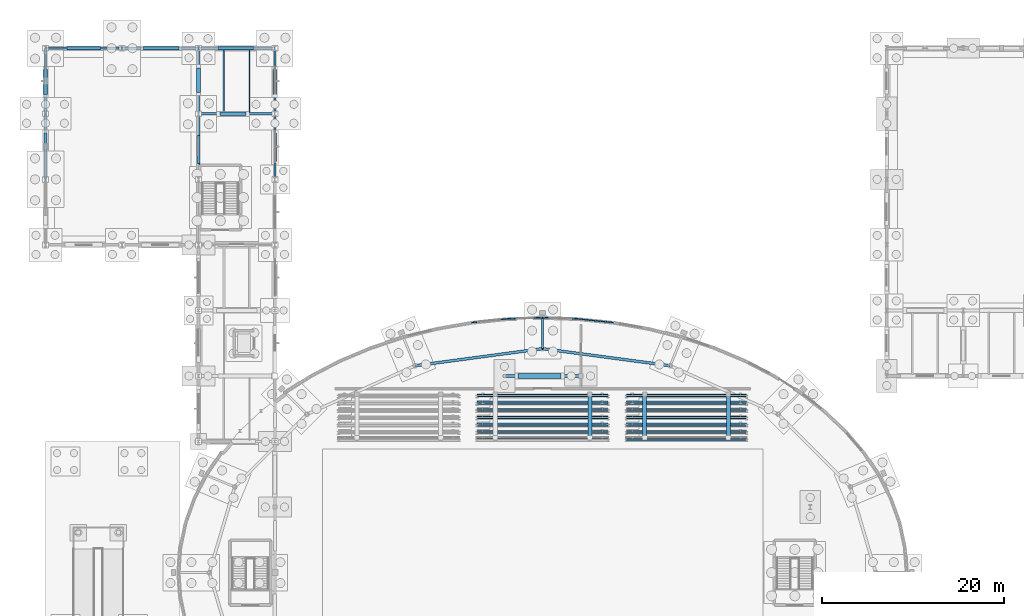
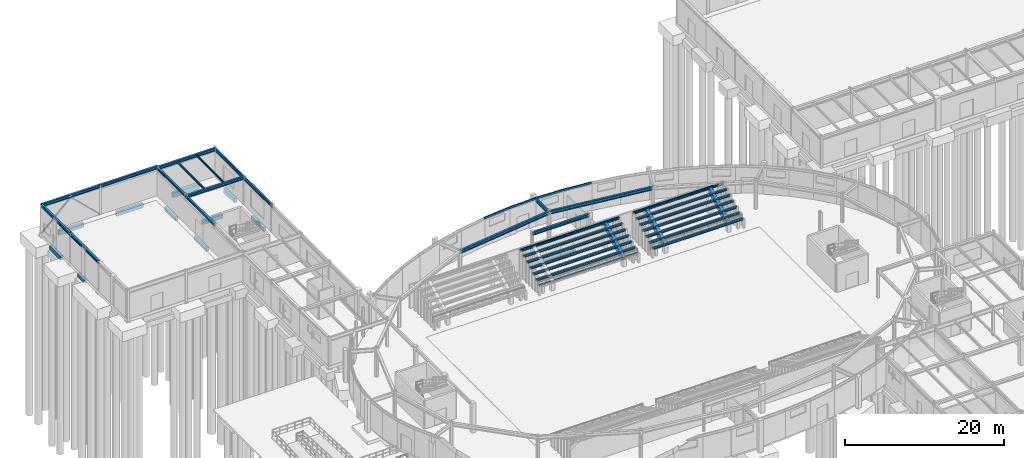
# One storey, part 40 of 93: 61 beams, 2 members.
"""IFC4 building model written with IfcOpenShell, lengths in metres."""

from ifc_helpers import new_model, si_unit, derived_unit, direction, frame, origin, origin_2d, place, context, subcontext, project, spatial, rectangle, hollow_rectangle, i_section, extrude, material, material_profile, profile_set, type_object, element, save


model = new_model("IFC4")

# Units and contexts
model_context = context("Model", 3, precision=1e-05, world=origin(), true_north=direction((0.0, 1.0)))
body_context = subcontext(model_context, "Body", "Model", "MODEL_VIEW")
ifc_project = project(units=[si_unit("LENGTHUNIT", "METRE"), si_unit("AREAUNIT", "SQUARE_METRE"), si_unit("VOLUMEUNIT", "CUBIC_METRE"), si_unit("PLANEANGLEUNIT", "RADIAN"), si_unit("MASSUNIT", "GRAM", prefix="KILO"), derived_unit("THERMALTRANSMITTANCEUNIT", [(si_unit("MASSUNIT", "GRAM", prefix="KILO"), 1), (si_unit("TIMEUNIT", "SECOND"), -3), (si_unit("THERMODYNAMICTEMPERATUREUNIT", "KELVIN"), -1)])], contexts=[model_context])

# Site, building, storey
site_placement = place(None, origin())
site = spatial("IfcSite", under=ifc_project, at=site_placement, CompositionType="ELEMENT")
building_placement = place(site_placement, origin())
building = spatial("IfcBuilding", under=site, at=building_placement, Name="Kharveza Railside Sports Centre", CompositionType="ELEMENT")
storey_placement = place(building_placement, origin())
storey = spatial("IfcBuildingStorey", under=building, at=storey_placement, Name="L00", CompositionType="ELEMENT", Elevation=0.0)

# Beams
ifc_material_1 = material(Name="Steel S355J2", Category="steel")
ifc_material_profile_1 = material_profile(ifc_material_1, i_section(OverallWidth=0.2099609375, OverallDepth=0.550048828125, WebThickness=0.010986328125, FlangeThickness=0.01708984375, FilletRadius=0.02392578125, at=origin_2d()), Name="IPE 550")
ifc_profile_set_1 = profile_set([ifc_material_profile_1], Name="Steel S355J2")
beam_type_1 = type_object("IfcBeamType", Name="BM-G02", PredefinedType="T_BEAM", material=ifc_profile_set_1)
beam_1_placement = place(storey_placement, frame((54.60009765625, 75.0, 4.0400390625), z_axis=(0.0, 1.0, 0.0), x_axis=(-1.0, 0.0, 0.0)))
element("IfcBeam", 1, at=beam_1_placement, inside=storey, type_object=beam_type_1, Name="BM-DRAD-L00-05", PredefinedType="T_BEAM", context=body_context, shape_type="SweptSolid", body=[
    extrude(i_section(OverallWidth=0.2099609375, OverallDepth=0.550048828125, WebThickness=0.010986328125, FlangeThickness=0.01708984375, FilletRadius=0.02392578125, at=origin_2d()), origin(), (0.0, 0.0, 1.0), 3.39990234375),
])
ifc_material_profile_2 = material_profile(ifc_material_1, i_section(OverallWidth=0.199951171875, OverallDepth=0.5, WebThickness=0.01025390625, FlangeThickness=0.01611328125, FilletRadius=0.02099609375, at=origin_2d()), Name="IPE 500")
ifc_profile_set_2 = profile_set([ifc_material_profile_2], Name="Steel S355J2")
beam_type_2 = type_object("IfcBeamType", Name="BM-G03", PredefinedType="T_BEAM", material=ifc_profile_set_2)
for number, where, z_axis, x_axis, name in (
    (2, (25.199951171875, 93.60009765625, 4.070068359375), (0.0, 1.0, 0.0), (-1.0, 0.0, 0.0), "BM-NS-L00-B03-X252-Y936"),
    (3, (25.199951171875, 100.800048828125, 4.070068359375), (0.0, 1.0, 0.0), (-1.0, 0.0, 0.0), "BM-NS-L00-B03-X252-Y1008"),
):
    element("IfcBeam", number, at=place(storey_placement, frame(where, z_axis=z_axis, x_axis=x_axis)), inside=storey, type_object=beam_type_2, Name=name, PredefinedType="T_BEAM", context=body_context, shape_type="SweptSolid", body=[
        extrude(i_section(OverallWidth=0.199951171875, OverallDepth=0.5, WebThickness=0.01025390625, FlangeThickness=0.01611328125, FilletRadius=0.02099609375, at=origin_2d()), origin(), (0.0, 0.0, 1.0), 7.199951171875),
    ])
ifc_material_profile_3 = material_profile(ifc_material_1, i_section(OverallWidth=0.300048828125, OverallDepth=0.449951171875, WebThickness=0.013916015625, FlangeThickness=0.02587890625, FilletRadius=0.027099609375, at=origin_2d()), Name="HEB 450")
ifc_profile_set_3 = profile_set([ifc_material_profile_3], Name="Steel S355J2")
beam_type_3 = type_object("IfcBeamType", Name="BM-G06", PredefinedType="T_BEAM", material=ifc_profile_set_3)
beam_2_placement = place(storey_placement, frame((16.800048828125, 100.800048828125, 4.094970703125), z_axis=(1.0, 0.0, 0.0), x_axis=(0.0, 1.0, 0.0)))
element("IfcBeam", 4, at=beam_2_placement, inside=storey, type_object=beam_type_3, Name="BM-EW-L00-B06-X168-Y1008", PredefinedType="T_BEAM", context=body_context, shape_type="SweptSolid", body=[
    extrude(i_section(OverallWidth=0.300048828125, OverallDepth=0.449951171875, WebThickness=0.013916015625, FlangeThickness=0.02587890625, FilletRadius=0.027099609375, at=origin_2d()), origin(), (0.0, 0.0, 1.0), 8.39990234375),
])
beam_3_placement = place(storey_placement, frame((50.39990234375, 72.0, 4.094970703125), z_axis=(1.0, 0.0, 0.0), x_axis=(0.0, 1.0, 0.0)))
element("IfcBeam", 5, at=beam_3_placement, inside=storey, type_object=beam_type_3, Name="BM-EW-L00-B06-X504-Y720", PredefinedType="T_BEAM", context=body_context, shape_type="SweptSolid", body=[
    extrude(i_section(OverallWidth=0.300048828125, OverallDepth=0.449951171875, WebThickness=0.013916015625, FlangeThickness=0.02587890625, FilletRadius=0.027099609375, at=origin_2d()), origin(), (0.0, 0.0, 1.0), 8.400146484375),
])
ifc_material_profile_4 = material_profile(ifc_material_1, i_section(OverallWidth=0.300048828125, OverallDepth=0.489990234375, WebThickness=0.011962890625, FlangeThickness=0.02294921875, FilletRadius=0.027099609375, at=origin_2d()), Name="HEA 500")
ifc_profile_set_4 = profile_set([ifc_material_profile_4], Name="Steel S355J2")
beam_type_4 = type_object("IfcBeamType", Name="BM-G08", PredefinedType="T_BEAM", material=ifc_profile_set_4)
beam_4_placement = place(storey_placement, frame((68.606201171875, 73.12744140625, 4.070068359375), z_axis=(-0.99118075907, 0.132516802142, 0.0), x_axis=(-0.132516802142, -0.99118075907, 0.0)))
element("IfcBeam", 6, at=beam_4_placement, inside=storey, type_object=beam_type_4, Name="BM-DRING-L00-04", PredefinedType="T_BEAM", context=body_context, shape_type="SweptSolid", body=[
    extrude(i_section(OverallWidth=0.300048828125, OverallDepth=0.489990234375, WebThickness=0.011962890625, FlangeThickness=0.02294921875, FilletRadius=0.027099609375, at=origin_2d()), origin(), (0.0, 0.0, 1.0), 14.130615234375),
])
beam_5_placement = place(storey_placement, frame((54.60009765625, 75.0, 4.070068359375), z_axis=(-0.991181062463, -0.132514532841, 0.0), x_axis=(0.132514532841, -0.991181062463, 0.0)))
element("IfcBeam", 7, at=beam_5_placement, inside=storey, type_object=beam_type_4, Name="BM-DRING-L00-05", PredefinedType="T_BEAM", context=body_context, shape_type="SweptSolid", body=[
    extrude(i_section(OverallWidth=0.300048828125, OverallDepth=0.489990234375, WebThickness=0.011962890625, FlangeThickness=0.02294921875, FilletRadius=0.027099609375, at=origin_2d()), origin(), (0.0, 0.0, 1.0), 14.130859375),
])
ifc_material_2 = material(Name="Concrete C35/45", Category="concrete")
ifc_material_profile_5 = material_profile(ifc_material_2, rectangle(XDim=0.5, YDim=0.800048828125, at=origin_2d()), Name="RCB 500x800")
ifc_profile_set_5 = profile_set([ifc_material_profile_5], Name="Concrete C35/45")
beam_type_5 = type_object("IfcBeamType", Name="BM-RC01", PredefinedType="T_BEAM", material=ifc_profile_set_5)
beam_6_placement = place(storey_placement, frame((51.909912109375, 72.0, -0.820068359375), z_axis=(1.0, 0.0, 0.0), x_axis=(0.0, 1.0, 0.0)))
element("IfcBeam", 8, at=beam_6_placement, inside=storey, type_object=beam_type_5, Name="BM-PLINTH-EW-B25-X504-Y720-1", PredefinedType="T_BEAM", context=body_context, shape_type="SweptSolid", body=[
    extrude(rectangle(XDim=0.5, YDim=0.800048828125, at=origin_2d()), origin(), (0.0, 0.0, 1.0), 4.72998046875),
])
ifc_material_profile_6 = material_profile(ifc_material_2, rectangle(XDim=0.39990234375, YDim=0.64990234375, at=origin_2d()), Name="RCB 400x650")
ifc_profile_set_6 = profile_set([ifc_material_profile_6], Name="Concrete C35/45")
beam_type_6 = type_object("IfcBeamType", Name="BM-RC02", PredefinedType="BEAM", material=ifc_profile_set_6)
beam_7_placement = place(storey_placement, frame((0.0, 102.93505859375, -0.7451171875), z_axis=(0.0, 1.0, 0.0), x_axis=(-1.0, 0.0, 0.0)))
element("IfcBeam", 9, at=beam_7_placement, inside=storey, type_object=beam_type_6, Name="BM-PLINTH-NS-B26-X0-Y1008-1", PredefinedType="BEAM", context=body_context, shape_type="SweptSolid", body=[
    extrude(rectangle(XDim=0.39990234375, YDim=0.64990234375, at=origin_2d()), origin(), (0.0, 0.0, 1.0), 2.704833984375),
])
beam_8_placement = place(storey_placement, frame((16.800048828125, 103.159912109375, -0.7451171875), z_axis=(0.0, 1.0, 0.0), x_axis=(-1.0, 0.0, 0.0)))
element("IfcBeam", 10, at=beam_8_placement, inside=storey, type_object=beam_type_6, Name="BM-PLINTH-NS-B26-X168-Y1008-1", PredefinedType="BEAM", context=body_context, shape_type="SweptSolid", body=[
    extrude(rectangle(XDim=0.39990234375, YDim=0.64990234375, at=origin_2d()), origin(), (0.0, 0.0, 1.0), 2.68017578125),
])
beam_9_placement = place(storey_placement, frame((25.199951171875, 102.93505859375, -0.7451171875), z_axis=(0.0, 1.0, 0.0), x_axis=(-1.0, 0.0, 0.0)))
element("IfcBeam", 11, at=beam_9_placement, inside=storey, type_object=beam_type_6, Name="BM-PLINTH-NS-B26-X252-Y1008-1", PredefinedType="BEAM", context=body_context, shape_type="SweptSolid", body=[
    extrude(rectangle(XDim=0.39990234375, YDim=0.64990234375, at=origin_2d()), origin(), (0.0, 0.0, 1.0), 2.704833984375),
])
ifc_material_profile_7 = material_profile(ifc_material_2, rectangle(XDim=0.35009765625, YDim=0.699951171875, at=origin_2d()), Name="RCB 350x700")
ifc_profile_set_7 = profile_set([ifc_material_profile_7], Name="Concrete C35/45")
beam_type_7 = type_object("IfcBeamType", Name="BM-RC03", PredefinedType="SPANDREL", material=ifc_profile_set_7)
beam_10_placement = place(storey_placement, frame((2.360107421875, 108.0, -0.77001953125), z_axis=(1.0, 0.0, 0.0), x_axis=(0.0, 1.0, 0.0)))
element("IfcBeam", 12, at=beam_10_placement, inside=storey, type_object=beam_type_7, Name="BM-PLINTH-EW-B27-X0-Y1080-1", PredefinedType="SPANDREL", context=body_context, shape_type="SweptSolid", body=[
    extrude(rectangle(XDim=0.35009765625, YDim=0.699951171875, at=origin_2d()), origin(), (0.0, 0.0, 1.0), 3.65478515625),
])
beam_11_placement = place(storey_placement, frame((10.784912109375, 108.0, -0.77001953125), z_axis=(1.0, 0.0, 0.0), x_axis=(0.0, 1.0, 0.0)))
element("IfcBeam", 13, at=beam_11_placement, inside=storey, type_object=beam_type_7, Name="BM-PLINTH-EW-B27-X84-Y1080-1", PredefinedType="SPANDREL", context=body_context, shape_type="SweptSolid", body=[
    extrude(rectangle(XDim=0.35009765625, YDim=0.699951171875, at=origin_2d()), origin(), (0.0, 0.0, 1.0), 3.85498046875),
])
beam_12_placement = place(storey_placement, frame((18.9599609375, 108.0, -0.77001953125), z_axis=(1.0, 0.0, 0.0), x_axis=(0.0, 1.0, 0.0)))
element("IfcBeam", 14, at=beam_12_placement, inside=storey, type_object=beam_type_7, Name="BM-PLINTH-EW-B27-X168-Y1080-1", PredefinedType="SPANDREL", context=body_context, shape_type="SweptSolid", body=[
    extrude(rectangle(XDim=0.35009765625, YDim=0.699951171875, at=origin_2d()), origin(), (0.0, 0.0, 1.0), 3.880126953125),
])
ifc_material_3 = material(Name="Precast concrete C40/50", Category="concrete")
ifc_material_profile_8 = material_profile(ifc_material_3, rectangle(XDim=0.449951171875, YDim=0.75, at=origin_2d()), Name="RCB 450x750")
ifc_profile_set_8 = profile_set([ifc_material_profile_8], Name="Precast concrete C40/50")
beam_type_8 = type_object("IfcBeamType", Name="BM-RC04", PredefinedType="BEAM", material=ifc_profile_set_8)
for number, where, z_axis, x_axis, name in (
    (15, (59.800048828125, 70.0, 3.6298828125), (0.0, -0.883895060385, -0.467685281175), (1.0, 0.0, 0.0), "BM-RAKER-N-04"),
    (16, (65.800048828125, 70.0, 3.6298828125), (0.0, -0.883895060385, -0.467685281175), (1.0, 0.0, 0.0), "BM-RAKER-N-05"),
    (17, (75.0, 70.0, 3.6298828125), (0.0, -0.883895060385, -0.467685281175), (1.0, 0.0, 0.0), "BM-RAKER-N-06"),
):
    element("IfcBeam", number, at=place(storey_placement, frame(where, z_axis=z_axis, x_axis=x_axis)), inside=storey, type_object=beam_type_8, Name=name, PredefinedType="BEAM", context=body_context, shape_type="SweptSolid", body=[
        extrude(rectangle(XDim=0.449951171875, YDim=0.75, at=origin_2d()), origin(), (0.0, 0.0, 1.0), 5.4306640625),
    ])
ifc_material_profile_9 = material_profile(ifc_material_2, rectangle(XDim=0.35009765625, YDim=0.60009765625, at=origin_2d()), Name="RCB 350x600")
ifc_profile_set_9 = profile_set([ifc_material_profile_9], Name="Concrete C35/45")
beam_type_9 = type_object("IfcBeamType", Name="BM-RC06", PredefinedType="BEAM", material=ifc_profile_set_9)
beam_13_placement = place(storey_placement, frame((0.0, 97.06005859375, -0.719970703125), z_axis=(0.0, 1.0, 0.0), x_axis=(-1.0, 0.0, 0.0)))
element("IfcBeam", 18, at=beam_13_placement, inside=storey, type_object=beam_type_9, Name="BM-PLINTH-NS-B30-X0-Y936-1", PredefinedType="BEAM", context=body_context, shape_type="SweptSolid", body=[
    extrude(rectangle(XDim=0.35009765625, YDim=0.60009765625, at=origin_2d()), origin(), (0.0, 0.0, 1.0), 1.60498046875),
])
beam_14_placement = place(storey_placement, frame((16.800048828125, 95.360107421875, -0.719970703125), z_axis=(0.0, 1.0, 0.0), x_axis=(-1.0, 0.0, 0.0)))
element("IfcBeam", 19, at=beam_14_placement, inside=storey, type_object=beam_type_9, Name="BM-PLINTH-NS-B30-X168-Y936-1", PredefinedType="BEAM", context=body_context, shape_type="SweptSolid", body=[
    extrude(rectangle(XDim=0.35009765625, YDim=0.60009765625, at=origin_2d()), origin(), (0.0, 0.0, 1.0), 3.079833984375),
])
beam_15_placement = place(storey_placement, frame((25.199951171875, 95.56005859375, -0.719970703125), z_axis=(0.0, 1.0, 0.0), x_axis=(-1.0, 0.0, 0.0)))
element("IfcBeam", 20, at=beam_15_placement, inside=storey, type_object=beam_type_9, Name="BM-PLINTH-NS-B30-X252-Y936-1", PredefinedType="BEAM", context=body_context, shape_type="SweptSolid", body=[
    extrude(rectangle(XDim=0.35009765625, YDim=0.60009765625, at=origin_2d()), origin(), (0.0, 0.0, 1.0), 3.10498046875),
])
ifc_material_profile_10 = material_profile(ifc_material_2, rectangle(XDim=0.39990234375, YDim=0.550048828125, at=origin_2d()), Name="RCB 400x550")
ifc_profile_set_10 = profile_set([ifc_material_profile_10], Name="Concrete C35/45")
beam_type_10 = type_object("IfcBeamType", Name="BM-RC07", PredefinedType="LINTEL", material=ifc_profile_set_10)
beam_16_placement = place(storey_placement, frame((19.159912109375, 100.800048828125, -0.695068359375), z_axis=(1.0, 0.0, 0.0), x_axis=(0.0, 1.0, 0.0)))
element("IfcBeam", 21, at=beam_16_placement, inside=storey, type_object=beam_type_10, Name="BM-PLINTH-EW-B31-X168-Y1008-1", PredefinedType="LINTEL", context=body_context, shape_type="SweptSolid", body=[
    extrude(rectangle(XDim=0.39990234375, YDim=0.550048828125, at=origin_2d()), origin(), (0.0, 0.0, 1.0), 2.880126953125),
])
ifc_material_profile_11 = material_profile(ifc_material_1, i_section(OverallWidth=0.159912109375, OverallDepth=0.330078125, WebThickness=0.007568359375, FlangeThickness=0.011474609375, FilletRadius=0.01806640625, at=origin_2d()), Name="IPE 330")
ifc_profile_set_11 = profile_set([ifc_material_profile_11], Name="Steel S355J2")
beam_type_11 = type_object("IfcBeamType", Name="BM-S03", PredefinedType="BEAM", material=ifc_profile_set_11)
beam_17_placement = place(storey_placement, frame((19.60009765625, 100.947021484375, 4.155029296875), z_axis=(0.0, 1.0, 0.0), x_axis=(-1.0, 0.0, 0.0)))
element("IfcBeam", 22, at=beam_17_placement, inside=storey, type_object=beam_type_11, Name="BM-SEC-L00-B11-X196-Y1008", PredefinedType="BEAM", context=body_context, shape_type="SweptSolid", body=[
    extrude(i_section(OverallWidth=0.159912109375, OverallDepth=0.330078125, WebThickness=0.007568359375, FlangeThickness=0.011474609375, FilletRadius=0.01806640625, at=origin_2d()), origin(), (0.0, 0.0, 1.0), 6.906005859375),
])
ifc_material_profile_12 = material_profile(ifc_material_1, i_section(OverallWidth=0.135009765625, OverallDepth=0.27001953125, WebThickness=0.006591796875, FlangeThickness=0.01025390625, FilletRadius=0.014892578125, at=origin_2d()), Name="IPE 270")
ifc_profile_set_12 = profile_set([ifc_material_profile_12], Name="Steel S355J2")
beam_type_12 = type_object("IfcBeamType", Name="BM-S05", PredefinedType="BEAM", material=ifc_profile_set_12)
for number, where, z_axis, x_axis, name in (
    (23, (47.39990234375, 69.739990234375, 3.85498046875), (1.0, 0.0, 0.0), (0.0, 1.0, 0.0), "BM-TSTR-N01-S2-1"),
    (24, (47.39990234375, 69.9599609375, 3.85498046875), (1.0, 0.0, 0.0), (0.0, 1.0, 0.0), "BM-TSTR-N01-S2-2"),
):
    element("IfcBeam", number, at=place(storey_placement, frame(where, z_axis=z_axis, x_axis=x_axis)), inside=storey, type_object=beam_type_12, Name=name, PredefinedType="BEAM", context=body_context, shape_type="SweptSolid", body=[
        extrude(i_section(OverallWidth=0.135009765625, OverallDepth=0.27001953125, WebThickness=0.006591796875, FlangeThickness=0.01025390625, FilletRadius=0.014892578125, at=origin_2d()), origin(), (0.0, 0.0, 1.0), 14.400146484375),
    ])
for number, where, z_axis, x_axis, name in (
    (25, (63.800048828125, 69.739990234375, 3.85498046875), (1.0, 0.0, 0.0), (0.0, 1.0, 0.0), "BM-TSTR-N01-S3-1"),
    (26, (63.800048828125, 69.9599609375, 3.85498046875), (1.0, 0.0, 0.0), (0.0, 1.0, 0.0), "BM-TSTR-N01-S3-2"),
):
    element("IfcBeam", number, at=place(storey_placement, frame(where, z_axis=z_axis, x_axis=x_axis)), inside=storey, type_object=beam_type_12, Name=name, PredefinedType="BEAM", context=body_context, shape_type="SweptSolid", body=[
        extrude(i_section(OverallWidth=0.135009765625, OverallDepth=0.27001953125, WebThickness=0.006591796875, FlangeThickness=0.01025390625, FilletRadius=0.014892578125, at=origin_2d()), origin(), (0.0, 0.0, 1.0), 13.199951171875),
    ])
for number, where, z_axis, x_axis, name in (
    (27, (47.39990234375, 68.93994140625, 3.43505859375), (1.0, 0.0, 0.0), (0.0, 1.0, 0.0), "BM-TSTR-N02-S2-1"),
    (28, (47.39990234375, 69.159912109375, 3.43505859375), (1.0, 0.0, 0.0), (0.0, 1.0, 0.0), "BM-TSTR-N02-S2-2"),
):
    element("IfcBeam", number, at=place(storey_placement, frame(where, z_axis=z_axis, x_axis=x_axis)), inside=storey, type_object=beam_type_12, Name=name, PredefinedType="BEAM", context=body_context, shape_type="SweptSolid", body=[
        extrude(i_section(OverallWidth=0.135009765625, OverallDepth=0.27001953125, WebThickness=0.006591796875, FlangeThickness=0.01025390625, FilletRadius=0.014892578125, at=origin_2d()), origin(), (0.0, 0.0, 1.0), 14.400146484375),
    ])
for number, where, z_axis, x_axis, name in (
    (29, (63.800048828125, 68.93994140625, 3.43505859375), (1.0, 0.0, 0.0), (0.0, 1.0, 0.0), "BM-TSTR-N02-S3-1"),
    (30, (63.800048828125, 69.159912109375, 3.43505859375), (1.0, 0.0, 0.0), (0.0, 1.0, 0.0), "BM-TSTR-N02-S3-2"),
):
    element("IfcBeam", number, at=place(storey_placement, frame(where, z_axis=z_axis, x_axis=x_axis)), inside=storey, type_object=beam_type_12, Name=name, PredefinedType="BEAM", context=body_context, shape_type="SweptSolid", body=[
        extrude(i_section(OverallWidth=0.135009765625, OverallDepth=0.27001953125, WebThickness=0.006591796875, FlangeThickness=0.01025390625, FilletRadius=0.014892578125, at=origin_2d()), origin(), (0.0, 0.0, 1.0), 13.199951171875),
    ])
for number, where, z_axis, x_axis, name in (
    (31, (47.39990234375, 68.139892578125, 3.014892578125), (1.0, 0.0, 0.0), (0.0, 1.0, 0.0), "BM-TSTR-N03-S2-1"),
    (32, (47.39990234375, 68.360107421875, 3.014892578125), (1.0, 0.0, 0.0), (0.0, 1.0, 0.0), "BM-TSTR-N03-S2-2"),
):
    element("IfcBeam", number, at=place(storey_placement, frame(where, z_axis=z_axis, x_axis=x_axis)), inside=storey, type_object=beam_type_12, Name=name, PredefinedType="BEAM", context=body_context, shape_type="SweptSolid", body=[
        extrude(i_section(OverallWidth=0.135009765625, OverallDepth=0.27001953125, WebThickness=0.006591796875, FlangeThickness=0.01025390625, FilletRadius=0.014892578125, at=origin_2d()), origin(), (0.0, 0.0, 1.0), 14.400146484375),
    ])
for number, where, z_axis, x_axis, name in (
    (33, (63.800048828125, 68.139892578125, 3.014892578125), (1.0, 0.0, 0.0), (0.0, 1.0, 0.0), "BM-TSTR-N03-S3-1"),
    (34, (63.800048828125, 68.360107421875, 3.014892578125), (1.0, 0.0, 0.0), (0.0, 1.0, 0.0), "BM-TSTR-N03-S3-2"),
):
    element("IfcBeam", number, at=place(storey_placement, frame(where, z_axis=z_axis, x_axis=x_axis)), inside=storey, type_object=beam_type_12, Name=name, PredefinedType="BEAM", context=body_context, shape_type="SweptSolid", body=[
        extrude(i_section(OverallWidth=0.135009765625, OverallDepth=0.27001953125, WebThickness=0.006591796875, FlangeThickness=0.01025390625, FilletRadius=0.014892578125, at=origin_2d()), origin(), (0.0, 0.0, 1.0), 13.199951171875),
    ])
for number, where, z_axis, x_axis, name in (
    (35, (47.39990234375, 67.340087890625, 2.594970703125), (1.0, 0.0, 0.0), (0.0, 1.0, 0.0), "BM-TSTR-N04-S2-1"),
    (36, (47.39990234375, 67.56005859375, 2.594970703125), (1.0, 0.0, 0.0), (0.0, 1.0, 0.0), "BM-TSTR-N04-S2-2"),
):
    element("IfcBeam", number, at=place(storey_placement, frame(where, z_axis=z_axis, x_axis=x_axis)), inside=storey, type_object=beam_type_12, Name=name, PredefinedType="BEAM", context=body_context, shape_type="SweptSolid", body=[
        extrude(i_section(OverallWidth=0.135009765625, OverallDepth=0.27001953125, WebThickness=0.006591796875, FlangeThickness=0.01025390625, FilletRadius=0.014892578125, at=origin_2d()), origin(), (0.0, 0.0, 1.0), 14.400146484375),
    ])
for number, where, z_axis, x_axis, name in (
    (37, (63.800048828125, 67.340087890625, 2.594970703125), (1.0, 0.0, 0.0), (0.0, 1.0, 0.0), "BM-TSTR-N04-S3-1"),
    (38, (63.800048828125, 67.56005859375, 2.594970703125), (1.0, 0.0, 0.0), (0.0, 1.0, 0.0), "BM-TSTR-N04-S3-2"),
):
    element("IfcBeam", number, at=place(storey_placement, frame(where, z_axis=z_axis, x_axis=x_axis)), inside=storey, type_object=beam_type_12, Name=name, PredefinedType="BEAM", context=body_context, shape_type="SweptSolid", body=[
        extrude(i_section(OverallWidth=0.135009765625, OverallDepth=0.27001953125, WebThickness=0.006591796875, FlangeThickness=0.01025390625, FilletRadius=0.014892578125, at=origin_2d()), origin(), (0.0, 0.0, 1.0), 13.199951171875),
    ])
for number, where, z_axis, x_axis, name in (
    (39, (47.39990234375, 66.5400390625, 2.156982421875), (1.0, 0.0, 0.0), (0.0, 1.0, 0.0), "BM-TSTR-N05-S2-1"),
    (40, (47.39990234375, 66.760009765625, 2.156982421875), (1.0, 0.0, 0.0), (0.0, 1.0, 0.0), "BM-TSTR-N05-S2-2"),
):
    element("IfcBeam", number, at=place(storey_placement, frame(where, z_axis=z_axis, x_axis=x_axis)), inside=storey, type_object=beam_type_12, Name=name, PredefinedType="BEAM", context=body_context, shape_type="SweptSolid", body=[
        extrude(i_section(OverallWidth=0.135009765625, OverallDepth=0.27001953125, WebThickness=0.006591796875, FlangeThickness=0.01025390625, FilletRadius=0.014892578125, at=origin_2d()), origin(), (0.0, 0.0, 1.0), 14.400146484375),
    ])
for number, where, z_axis, x_axis, name in (
    (41, (63.800048828125, 66.5400390625, 2.156982421875), (1.0, 0.0, 0.0), (0.0, 1.0, 0.0), "BM-TSTR-N05-S3-1"),
    (42, (63.800048828125, 66.760009765625, 2.156982421875), (1.0, 0.0, 0.0), (0.0, 1.0, 0.0), "BM-TSTR-N05-S3-2"),
):
    element("IfcBeam", number, at=place(storey_placement, frame(where, z_axis=z_axis, x_axis=x_axis)), inside=storey, type_object=beam_type_12, Name=name, PredefinedType="BEAM", context=body_context, shape_type="SweptSolid", body=[
        extrude(i_section(OverallWidth=0.135009765625, OverallDepth=0.27001953125, WebThickness=0.006591796875, FlangeThickness=0.01025390625, FilletRadius=0.014892578125, at=origin_2d()), origin(), (0.0, 0.0, 1.0), 13.199951171875),
    ])
for number, where, z_axis, x_axis, name in (
    (43, (47.39990234375, 65.739990234375, 1.737060546875), (1.0, 0.0, 0.0), (0.0, 1.0, 0.0), "BM-TSTR-N06-S2-1"),
    (44, (47.39990234375, 65.9599609375, 1.737060546875), (1.0, 0.0, 0.0), (0.0, 1.0, 0.0), "BM-TSTR-N06-S2-2"),
):
    element("IfcBeam", number, at=place(storey_placement, frame(where, z_axis=z_axis, x_axis=x_axis)), inside=storey, type_object=beam_type_12, Name=name, PredefinedType="BEAM", context=body_context, shape_type="SweptSolid", body=[
        extrude(i_section(OverallWidth=0.135009765625, OverallDepth=0.27001953125, WebThickness=0.006591796875, FlangeThickness=0.01025390625, FilletRadius=0.014892578125, at=origin_2d()), origin(), (0.0, 0.0, 1.0), 14.400146484375),
    ])
for number, where, z_axis, x_axis, name in (
    (45, (63.800048828125, 65.739990234375, 1.737060546875), (1.0, 0.0, 0.0), (0.0, 1.0, 0.0), "BM-TSTR-N06-S3-1"),
    (46, (63.800048828125, 65.9599609375, 1.737060546875), (1.0, 0.0, 0.0), (0.0, 1.0, 0.0), "BM-TSTR-N06-S3-2"),
):
    element("IfcBeam", number, at=place(storey_placement, frame(where, z_axis=z_axis, x_axis=x_axis)), inside=storey, type_object=beam_type_12, Name=name, PredefinedType="BEAM", context=body_context, shape_type="SweptSolid", body=[
        extrude(i_section(OverallWidth=0.135009765625, OverallDepth=0.27001953125, WebThickness=0.006591796875, FlangeThickness=0.01025390625, FilletRadius=0.014892578125, at=origin_2d()), origin(), (0.0, 0.0, 1.0), 13.199951171875),
    ])
beam_18_placement = place(storey_placement, frame((47.39990234375, 65.159912109375, 1.31689453125), z_axis=(1.0, 0.0, 0.0), x_axis=(0.0, 1.0, 0.0)))
element("IfcBeam", 47, at=beam_18_placement, inside=storey, type_object=beam_type_12, Name="BM-TSTR-N07-S2-2", PredefinedType="BEAM", context=body_context, shape_type="SweptSolid", body=[
    extrude(i_section(OverallWidth=0.135009765625, OverallDepth=0.27001953125, WebThickness=0.006591796875, FlangeThickness=0.01025390625, FilletRadius=0.014892578125, at=origin_2d()), origin(), (0.0, 0.0, 1.0), 14.400146484375),
])
for number, where, z_axis, x_axis, name in (
    (48, (63.800048828125, 64.93994140625, 1.31689453125), (1.0, 0.0, 0.0), (0.0, 1.0, 0.0), "BM-TSTR-N07-S3-1"),
    (49, (63.800048828125, 65.159912109375, 1.31689453125), (1.0, 0.0, 0.0), (0.0, 1.0, 0.0), "BM-TSTR-N07-S3-2"),
):
    element("IfcBeam", number, at=place(storey_placement, frame(where, z_axis=z_axis, x_axis=x_axis)), inside=storey, type_object=beam_type_12, Name=name, PredefinedType="BEAM", context=body_context, shape_type="SweptSolid", body=[
        extrude(i_section(OverallWidth=0.135009765625, OverallDepth=0.27001953125, WebThickness=0.006591796875, FlangeThickness=0.01025390625, FilletRadius=0.014892578125, at=origin_2d()), origin(), (0.0, 0.0, 1.0), 13.199951171875),
    ])
beam_19_placement = place(storey_placement, frame((22.39990234375, 100.947021484375, 4.18505859375), z_axis=(0.0, 1.0, 0.0), x_axis=(-1.0, 0.0, 0.0)))
element("IfcBeam", 50, at=beam_19_placement, inside=storey, type_object=beam_type_12, Name="BM-SEC-L00-B13-X224-Y1008", PredefinedType="BEAM", context=body_context, shape_type="SweptSolid", body=[
    extrude(i_section(OverallWidth=0.135009765625, OverallDepth=0.27001953125, WebThickness=0.006591796875, FlangeThickness=0.01025390625, FilletRadius=0.014892578125, at=origin_2d()), origin(), (0.0, 0.0, 1.0), 6.906005859375),
])
ifc_material_profile_13 = material_profile(ifc_material_1, i_section(OverallWidth=0.300048828125, OverallDepth=0.31005859375, WebThickness=0.009033203125, FlangeThickness=0.015380859375, FilletRadius=0.027099609375, at=origin_2d()), Name="HEA 320")
ifc_profile_set_13 = profile_set([ifc_material_profile_13], Name="Steel S355J2")
beam_type_13 = type_object("IfcBeamType", Name="BM-S06", PredefinedType="BEAM", material=ifc_profile_set_13)
for number, where, z_axis, x_axis, name in (
    (51, (16.800048828125, 93.60009765625, 4.1650390625), (0.0, 1.0, 0.0), (-1.0, 0.0, 0.0), "BM-NS-L00-B14-X168-Y936"),
    (52, (16.800048828125, 100.800048828125, 4.1650390625), (0.0, 1.0, 0.0), (-1.0, 0.0, 0.0), "BM-NS-L00-B14-X168-Y1008"),
):
    element("IfcBeam", number, at=place(storey_placement, frame(where, z_axis=z_axis, x_axis=x_axis)), inside=storey, type_object=beam_type_13, Name=name, PredefinedType="BEAM", context=body_context, shape_type="SweptSolid", body=[
        extrude(i_section(OverallWidth=0.300048828125, OverallDepth=0.31005859375, WebThickness=0.009033203125, FlangeThickness=0.015380859375, FilletRadius=0.027099609375, at=origin_2d()), origin(), (0.0, 0.0, 1.0), 7.199951171875),
    ])
ifc_material_profile_14 = material_profile(ifc_material_1, i_section(OverallWidth=0.300048828125, OverallDepth=0.43994140625, WebThickness=0.011474609375, FlangeThickness=0.02099609375, FilletRadius=0.027099609375, at=origin_2d()), Name="HEA 450")
ifc_profile_set_14 = profile_set([ifc_material_profile_14], Name="Steel S355J2")
beam_type_14 = type_object("IfcBeamType", Name="BM-SP01", PredefinedType="SPANDREL", material=ifc_profile_set_14)
for number, where, z_axis, x_axis, name in (
    (53, (0.0, 93.60009765625, 4.280029296875), (0.0, 1.0, 0.0), (-1.0, 0.0, 0.0), "BM-NS-L00-B15-X0-Y936"),
    (54, (0.0, 100.800048828125, 4.280029296875), (0.0, 1.0, 0.0), (-1.0, 0.0, 0.0), "BM-NS-L00-B15-X0-Y1008"),
):
    element("IfcBeam", number, at=place(storey_placement, frame(where, z_axis=z_axis, x_axis=x_axis)), inside=storey, type_object=beam_type_14, Name=name, PredefinedType="SPANDREL", context=body_context, shape_type="SweptSolid", body=[
        extrude(i_section(OverallWidth=0.300048828125, OverallDepth=0.43994140625, WebThickness=0.011474609375, FlangeThickness=0.02099609375, FilletRadius=0.027099609375, at=origin_2d()), origin(), (0.0, 0.0, 1.0), 7.199951171875),
    ])
beam_20_placement = place(storey_placement, frame((0.0, 108.0, 4.280029296875), z_axis=(1.0, 0.0, 0.0), x_axis=(0.0, 1.0, 0.0)))
element("IfcBeam", 55, at=beam_20_placement, inside=storey, type_object=beam_type_14, Name="BM-EW-L00-B15-X0-Y1080", PredefinedType="SPANDREL", context=body_context, shape_type="SweptSolid", body=[
    extrude(i_section(OverallWidth=0.300048828125, OverallDepth=0.43994140625, WebThickness=0.011474609375, FlangeThickness=0.02099609375, FilletRadius=0.027099609375, at=origin_2d()), origin(), (0.0, 0.0, 1.0), 8.39990234375),
])
beam_21_placement = place(storey_placement, frame((8.39990234375, 108.0, 4.280029296875), z_axis=(1.0, 0.0, 0.0), x_axis=(0.0, 1.0, 0.0)))
element("IfcBeam", 56, at=beam_21_placement, inside=storey, type_object=beam_type_14, Name="BM-EW-L00-B15-X84-Y1080", PredefinedType="SPANDREL", context=body_context, shape_type="SweptSolid", body=[
    extrude(i_section(OverallWidth=0.300048828125, OverallDepth=0.43994140625, WebThickness=0.011474609375, FlangeThickness=0.02099609375, FilletRadius=0.027099609375, at=origin_2d()), origin(), (0.0, 0.0, 1.0), 8.400146484375),
])
beam_22_placement = place(storey_placement, frame((16.800048828125, 108.0, 4.10009765625), z_axis=(1.0, 0.0, 0.0), x_axis=(0.0, 1.0, 0.0)))
element("IfcBeam", 57, at=beam_22_placement, inside=storey, type_object=beam_type_14, Name="BM-EW-L00-B15-X168-Y1080", PredefinedType="SPANDREL", context=body_context, shape_type="SweptSolid", body=[
    extrude(i_section(OverallWidth=0.300048828125, OverallDepth=0.43994140625, WebThickness=0.011474609375, FlangeThickness=0.02099609375, FilletRadius=0.027099609375, at=origin_2d()), origin(), (0.0, 0.0, 1.0), 8.39990234375),
])
ifc_material_profile_15 = material_profile(ifc_material_1, hollow_rectangle(XDim=0.14990234375, YDim=0.300048828125, WallThickness=0.012451171875, InnerFilletRadius=0.012451171875, OuterFilletRadius=0.02490234375, at=origin_2d()), Name="RHS 150x300x12.5")
ifc_profile_set_15 = profile_set([ifc_material_profile_15], Name="Steel S355J2")
beam_type_15 = type_object("IfcBeamType", Name="BM-SP03", PredefinedType="SPANDREL", material=ifc_profile_set_15)
beam_23_placement = place(storey_placement, frame((62.403564453125, 77.862060546875, 4.159912109375), z_axis=(-0.994654867494, 0.103255482032, 0.0), x_axis=(-0.103255482032, -0.994654867494, 0.0)))
element("IfcBeam", 58, at=beam_23_placement, inside=storey, type_object=beam_type_15, Name="BM-DCLER-SILL-15", PredefinedType="SPANDREL", context=body_context, shape_type="SweptSolid", body=[
    extrude(hollow_rectangle(XDim=0.14990234375, YDim=0.300048828125, WallThickness=0.012451171875, InnerFilletRadius=0.012451171875, OuterFilletRadius=0.02490234375, at=origin_2d()), origin(), (0.0, 0.0, 1.0), 3.903564453125),
])
beam_24_placement = place(storey_placement, frame((58.520751953125, 78.26513671875, 4.159912109375), z_axis=(-0.99940976287, 0.034352960278, 0.0), x_axis=(-0.034352960278, -0.99940976287, 0.0)))
element("IfcBeam", 59, at=beam_24_placement, inside=storey, type_object=beam_type_15, Name="BM-DCLER-SILL-16", PredefinedType="SPANDREL", context=body_context, shape_type="SweptSolid", body=[
    extrude(hollow_rectangle(XDim=0.14990234375, YDim=0.300048828125, WallThickness=0.012451171875, InnerFilletRadius=0.012451171875, OuterFilletRadius=0.02490234375, at=origin_2d()), origin(), (0.0, 0.0, 1.0), 3.9228515625),
])
beam_25_placement = place(storey_placement, frame((54.60009765625, 78.39990234375, 4.159912109375), z_axis=(-0.999409836307, -0.034350823763, 0.0), x_axis=(0.034350823763, -0.999409836307, 0.0)))
element("IfcBeam", 60, at=beam_25_placement, inside=storey, type_object=beam_type_15, Name="BM-DCLER-SILL-17", PredefinedType="SPANDREL", context=body_context, shape_type="SweptSolid", body=[
    extrude(hollow_rectangle(XDim=0.14990234375, YDim=0.300048828125, WallThickness=0.012451171875, InnerFilletRadius=0.012451171875, OuterFilletRadius=0.02490234375, at=origin_2d()), origin(), (0.0, 0.0, 1.0), 3.923095703125),
])
beam_26_placement = place(storey_placement, frame((50.67919921875, 78.26513671875, 4.159912109375), z_axis=(-0.994654867494, -0.103255482032, 0.0), x_axis=(0.103255482032, -0.994654867494, 0.0)))
element("IfcBeam", 61, at=beam_26_placement, inside=storey, type_object=beam_type_15, Name="BM-DCLER-SILL-18", PredefinedType="SPANDREL", context=body_context, shape_type="SweptSolid", body=[
    extrude(hollow_rectangle(XDim=0.14990234375, YDim=0.300048828125, WallThickness=0.012451171875, InnerFilletRadius=0.012451171875, OuterFilletRadius=0.02490234375, at=origin_2d()), origin(), (0.0, 0.0, 1.0), 3.903564453125),
])

# Members
ifc_material_profile_16 = material_profile(ifc_material_1, hollow_rectangle(XDim=0.179931640625, YDim=0.179931640625, WallThickness=0.010009765625, InnerFilletRadius=0.010009765625, OuterFilletRadius=0.02001953125, at=origin_2d()), Name="SHS 180x180x10.0")
ifc_profile_set_16 = profile_set([ifc_material_profile_16], Name="Steel S355J2")
member_type = type_object("IfcMemberType", Name="MB-BR01", PredefinedType="BRACE", material=ifc_profile_set_16)
for number, where, z_axis, x_axis, name in (
    (62, (0.0, 108.0, 0.0), (0.719836081517, 0.0, 0.694144088606), (0.0, 1.0, 0.0), "MB-CHEV-EW-010A"),
    (63, (8.39990234375, 108.0, 0.0), (-0.719836081517, 0.0, 0.694144088606), (0.0, -1.0, 0.0), "MB-CHEV-EW-010B"),
):
    element("IfcMember", number, at=place(storey_placement, frame(where, z_axis=z_axis, x_axis=x_axis)), inside=storey, type_object=member_type, Name=name, PredefinedType="BRACE", context=body_context, shape_type="SweptSolid", body=[
        extrude(hollow_rectangle(XDim=0.179931640625, YDim=0.179931640625, WallThickness=0.010009765625, InnerFilletRadius=0.010009765625, OuterFilletRadius=0.02001953125, at=origin_2d()), origin(), (0.0, 0.0, 1.0), 5.83447265625),
    ])

save(model, "model.ifc")
